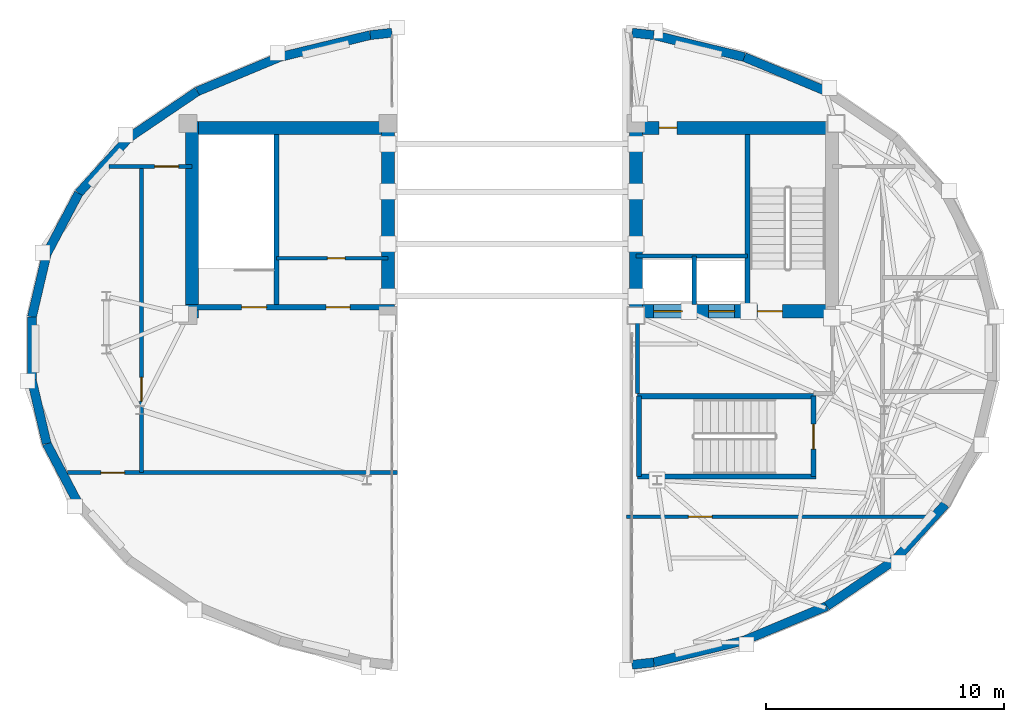
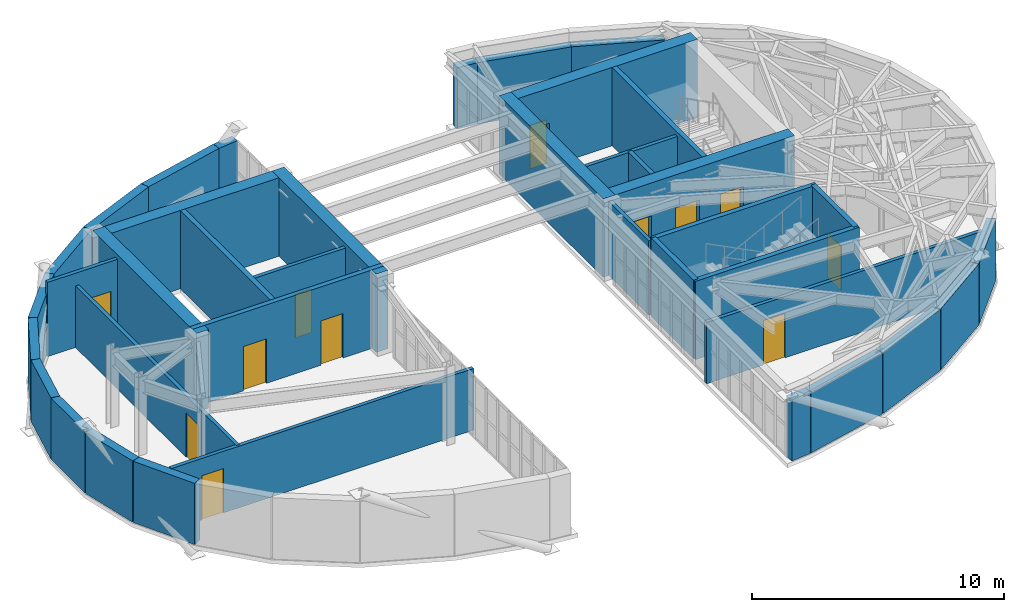
# One storey, part 9 of 13: 39 walls, 12 doors, 12 openings.
"""IFC4 building model written with IfcOpenShell, lengths in metres."""

import ifcopenshell
import ifcopenshell.guid

model = None  # the IFC model being written
_history = None  # IfcOwnerHistory: only IFC2X3 demands one
_inside = {}  # id of a spatial element -> (the spatial element, [elements in it])
_under = {}  # id of a project, library or spatial element -> (it, [spatial elements below it])
_declared = {}  # id of a project -> (the project, [libraries it declares])
_typed = {}  # id of a type object -> (the type object, [elements of that type])
_made_of = {}  # id of a material, layer set ... -> (it, [elements and type objects made of it])


def new_model(schema):
    """Start an empty IFC model of exactly this schema.

    Asked for "IFC4X3", IfcOpenShell would pick the latest addendum, in which some entities
    have other attributes; the version numbers below select the first issue.
    IFC2X3 requires an IfcOwnerHistory on every rooted entity: one is made here for all.
    """
    global model, _history
    if schema == "IFC4X3":
        model = ifcopenshell.file(schema_version=(4, 3, 0, 0))
    else:
        model = ifcopenshell.file(schema=schema)
    _inside.clear()
    _under.clear()
    _declared.clear()
    _typed.clear()
    _made_of.clear()
    _history = None
    if model.schema == "IFC2X3":
        org = make("IfcOrganization", Name="unknown")
        user = make(
            "IfcPersonAndOrganization",
            ThePerson=make("IfcPerson", FamilyName="unknown"),
            TheOrganization=org,
        )
        app = make(
            "IfcApplication",
            ApplicationDeveloper=org,
            Version="unknown",
            ApplicationFullName="unknown",
            ApplicationIdentifier="unknown",
        )
        _history = make(
            "IfcOwnerHistory",
            OwningUser=user,
            OwningApplication=app,
            ChangeAction="ADDED",
            CreationDate=0,
        )
    return model


def make(cls, **values):
    """One entity of the class cls with the attributes given. An attribute that is None is left unset."""
    return model.create_entity(
        cls, **{name: value for name, value in values.items() if value is not None}
    )


def rooted(cls, **values):
    """An entity with a GlobalId (a new one), such as an element, a storey or a relation."""
    return make(cls, GlobalId=ifcopenshell.guid.new(), OwnerHistory=_history, **values)


def si_unit(unit_type, name, prefix=None):
    """IfcSIUnit, for example si_unit("LENGTHUNIT", "METRE", prefix="MILLI")."""
    return make("IfcSIUnit", UnitType=unit_type, Prefix=prefix, Name=name)


def assignment(units):
    """IfcUnitAssignment: the units of a project."""
    return None if units is None else make("IfcUnitAssignment", Units=units)


def point(xyz):
    """IfcCartesianPoint."""
    return None if xyz is None else make("IfcCartesianPoint", Coordinates=xyz)


def direction(xyz):
    """IfcDirection."""
    return None if xyz is None else make("IfcDirection", DirectionRatios=xyz)


def frame(location, z_axis=None, x_axis=None):
    """IfcAxis2Placement3D, a coordinate frame: its origin and axes. An axis left out is left unset."""
    return make(
        "IfcAxis2Placement3D",
        Location=point(location),
        Axis=direction(z_axis),
        RefDirection=direction(x_axis),
    )


def frame_2d(location, x_axis=None):
    """IfcAxis2Placement2D, a coordinate frame in the plane: its origin and x axis."""
    return make(
        "IfcAxis2Placement2D", Location=point(location), RefDirection=direction(x_axis)
    )


def origin():
    """The frame at (0, 0, 0) with its axes left unset."""
    return frame((0.0, 0.0, 0.0))


def place(relative_to, where):
    """IfcLocalPlacement: puts the frame where relative to a parent placement (None: the world)."""
    return make(
        "IfcLocalPlacement", PlacementRelTo=relative_to, RelativePlacement=where
    )


def context(
    kind, dimensions, precision=None, world=None, true_north=None, identifier=None
):
    """IfcGeometricRepresentationContext, for example the 3D "Model" context."""
    return make(
        "IfcGeometricRepresentationContext",
        ContextIdentifier=identifier,
        ContextType=kind,
        CoordinateSpaceDimension=dimensions,
        Precision=precision,
        WorldCoordinateSystem=world,
        TrueNorth=true_north,
    )


def subcontext(parent, identifier, kind, view, scale=None):
    """IfcGeometricRepresentationSubContext, for example "Body" below "Model"."""
    return make(
        "IfcGeometricRepresentationSubContext",
        ContextIdentifier=identifier,
        ContextType=kind,
        ParentContext=parent,
        TargetScale=scale,
        TargetView=view,
    )


def project(units=None, contexts=None):
    """IfcProject with its units and contexts."""
    return rooted(
        "IfcProject",
        Name="project",
        RepresentationContexts=contexts,
        UnitsInContext=assignment(units),
    )


def spatial(cls, under=None, at=None, **own):
    """A site, building, storey or space (cls), placed at a placement, below another one or the project."""
    s = rooted(cls, ObjectPlacement=at, **own)
    if under is not None:
        _under.setdefault(under.id(), (under, []))[1].append(s)
    return s


def profile(cls, at=None, kind="AREA", **sizes):
    """A parametric profile (cls). Its sizes go by their IFC names, for example OverallWidth=200.0."""
    return make(cls, ProfileType=kind, Position=at, **sizes)


def rectangle(**sizes):
    """IfcRectangleProfileDef."""
    return profile("IfcRectangleProfileDef", **sizes)


def extrude(swept, where, along, depth):
    """IfcExtrudedAreaSolid: the profile swept, set in the frame where, extruded along a direction by depth."""
    return make(
        "IfcExtrudedAreaSolid",
        SweptArea=swept,
        Position=where,
        ExtrudedDirection=direction(along),
        Depth=depth,
    )


def shape(context_of_items, identifier, shape_type, items):
    """IfcShapeRepresentation: the items that make up one representation, for example the "Body"."""
    return make(
        "IfcShapeRepresentation",
        ContextOfItems=context_of_items,
        RepresentationIdentifier=identifier,
        RepresentationType=shape_type,
        Items=items,
    )


def material(Name=None, Category=None):
    """IfcMaterial."""
    return make("IfcMaterial", Name=Name, Category=Category)


def layer(
    of_material, thickness, ventilated=None, Name=None, Category=None, Priority=None
):
    """IfcMaterialLayer: one layer of a wall or slab, of a material (None: an air gap)."""
    return make(
        "IfcMaterialLayer",
        Material=of_material,
        LayerThickness=thickness,
        IsVentilated=ventilated,
        Name=Name,
        Category=Category,
        Priority=Priority,
    )


def layer_set(layers, Name=None):
    """IfcMaterialLayerSet."""
    return make("IfcMaterialLayerSet", MaterialLayers=layers, LayerSetName=Name)


def made_of(thing, what):
    """Note that an element or type object is made of a material, layer set ...; save() writes the relation."""
    if what is not None:
        _made_of.setdefault(what.id(), (what, []))[1].append(thing)
    return thing


def type_object(cls, material=None, **own):
    """A type object (cls), such as IfcWallType, which elements share."""
    return made_of(rooted(cls, **own), material)


def element(
    cls,
    number,
    at=None,
    inside=None,
    cuts=None,
    type_object=None,
    material=None,
    context=None,
    identifier="Body",
    shape_type=None,
    held_by="IfcProductDefinitionShape",
    body=None,
    shapes=None,
    **own,
):
    """One element of the class cls, such as IfcWall. Its Tag is "e" and its number.

    at: its placement. inside: the storey or other place that contains it. cuts: it is an
    opening in that element (IfcRelVoidsElement). A single representation is given by context,
    identifier, shape_type and body (its items); several are given by shapes. held_by: the class
    of the entity that holds the representations. save() writes the other relations.
    """
    e = rooted(cls, Tag="e%d" % number, ObjectPlacement=at, **own)
    if body is not None:
        shapes = [shape(context, identifier, shape_type, body)]
    if shapes is not None:
        e.Representation = make(held_by, Representations=shapes)
    if inside is not None:
        _inside.setdefault(inside.id(), (inside, []))[1].append(e)
    if cuts is not None:
        rooted(
            "IfcRelVoidsElement", RelatingBuildingElement=cuts, RelatedOpeningElement=e
        )
    if type_object is not None:
        _typed.setdefault(type_object.id(), (type_object, []))[1].append(e)
    return made_of(e, material)


def fill(opening, filler):
    """IfcRelFillsElement: the door or window that sits in an opening."""
    return rooted(
        "IfcRelFillsElement",
        RelatingOpeningElement=opening,
        RelatedBuildingElement=filler,
    )


def aggregate(whole, parts):
    """IfcRelAggregates: a whole, such as a stair, and the parts it consists of."""
    return rooted("IfcRelAggregates", RelatingObject=whole, RelatedObjects=parts)


def save(model, path):
    """Write the relations noted so far, then the file.

    IfcRelAggregates (storeys below a building ...), IfcRelContainedInSpatialStructure (elements
    in a storey), IfcRelDefinesByType, IfcRelAssociatesMaterial and IfcRelDeclares: one each for
    every whole, place, type object, material and project.
    """
    for whole, parts in _under.values():
        aggregate(whole, parts)
    for where, things in _inside.values():
        rooted(
            "IfcRelContainedInSpatialStructure",
            RelatedElements=things,
            RelatingStructure=where,
        )
    for kind, things in _typed.values():
        rooted("IfcRelDefinesByType", RelatedObjects=things, RelatingType=kind)
    for what, things in _made_of.values():
        rooted("IfcRelAssociatesMaterial", RelatedObjects=things, RelatingMaterial=what)
    for by, libraries in _declared.values():
        rooted("IfcRelDeclares", RelatingContext=by, RelatedDefinitions=libraries)
    model.write(path)


model = new_model("IFC4")

# Units and contexts
model_context = context("Model", 3, precision=1e-05, world=origin(), true_north=direction((0.0, 1.0)))
body_context = subcontext(model_context, "Body", "Model", "MODEL_VIEW")
ifc_project = project(units=[si_unit("LENGTHUNIT", "METRE"), si_unit("AREAUNIT", "SQUARE_METRE"), si_unit("VOLUMEUNIT", "CUBIC_METRE"), si_unit("PLANEANGLEUNIT", "RADIAN"), si_unit("MASSUNIT", "GRAM", prefix="KILO")], contexts=[model_context])

# Site, building, storey
site_placement = place(None, origin())
site = spatial("IfcSite", under=ifc_project, at=site_placement, CompositionType="ELEMENT")
building_placement = place(site_placement, origin())
building = spatial("IfcBuilding", under=site, at=building_placement, Name="Keldmark Tower", CompositionType="ELEMENT")
storey_placement = place(building_placement, frame((0.0, 0.0, 280.60009765625)))
storey = spatial("IfcBuildingStorey", under=building, at=storey_placement, Name="L79", CompositionType="ELEMENT", Elevation=280.60009765625)

# Walls
ifc_material_1 = material(Name="Kasota Buff Limestone Ashlar Masonry", Category="masonry")
ifc_layer_1 = layer(ifc_material_1, 0.3798828125)
ifc_layer_set_1 = layer_set([ifc_layer_1], Name="Kasota Buff Limestone Ashlar Masonry")
wall_type_1 = type_object("IfcWallType", Name="Crown Kasota Limestone Screen Wall 380 mm", PredefinedType="ELEMENTEDWALL", material=ifc_layer_set_1)
wall_1_placement = place(storey_placement, frame((9.754150390625, 12.24462890625, 0.0), z_axis=(0.0, 0.0, 1.0), x_axis=(-0.971829314356, 0.235685773347, 0.0)))
element("IfcWall", 1, at=wall_1_placement, inside=storey, type_object=wall_type_1, Name="L79 Crown Limestone Enclosure Wall E01", PredefinedType="ELEMENTEDWALL", context=body_context, shape_type="SweptSolid", body=[
    extrude(rectangle(XDim=3.911376953125, YDim=0.3798828125, at=frame_2d((1.95556640625, 0.0))), origin(), (0.0, 0.0, 1.0), 2.969970703125),
])
wall_2_placement = place(storey_placement, frame((13.213134765625, 10.8037109375, 0.0), z_axis=(0.0, 0.0, 1.0), x_axis=(-0.923107762436, 0.384541361794, 0.0)))
element("IfcWall", 2, at=wall_2_placement, inside=storey, type_object=wall_type_1, Name="L79 Crown Limestone Enclosure Wall E02", PredefinedType="ELEMENTEDWALL", context=body_context, shape_type="SweptSolid", body=[
    extrude(rectangle(XDim=3.7470703125, YDim=0.3798828125, at=frame_2d((1.87353515625, 0.0))), origin(), (0.0, 0.0, 1.0), 2.969970703125),
])
wall_3_placement = place(storey_placement, frame((16.08154296875, -8.858154296875, 0.0), z_axis=(0.0, 0.0, 1.0), x_axis=(0.671159432859, 0.741313034881, 0.0)))
element("IfcWall", 3, at=wall_3_placement, inside=storey, type_object=wall_type_1, Name="L79 Crown Limestone Enclosure Wall E10", PredefinedType="ELEMENTEDWALL", context=body_context, shape_type="SweptSolid", body=[
    extrude(rectangle(XDim=3.142578125, YDim=0.3798828125, at=frame_2d((1.5712890625, 0.0))), origin(), (0.0, 0.0, 1.0), 2.969970703125),
])
wall_4_placement = place(storey_placement, frame((13.213134765625, -10.8037109375, 0.0), z_axis=(0.0, 0.0, 1.0), x_axis=(0.827591474152, 0.561330875608, 0.0)))
element("IfcWall", 4, at=wall_4_placement, inside=storey, type_object=wall_type_1, Name="L79 Crown Limestone Enclosure Wall E11", PredefinedType="ELEMENTEDWALL", context=body_context, shape_type="SweptSolid", body=[
    extrude(rectangle(XDim=3.466064453125, YDim=0.3798828125, at=frame_2d((1.73291015625, 0.0))), origin(), (0.0, 0.0, 1.0), 2.969970703125),
])
wall_5_placement = place(storey_placement, frame((9.754150390625, -12.24462890625, 0.0), z_axis=(0.0, 0.0, 1.0), x_axis=(0.923107762436, 0.384541361794, 0.0)))
element("IfcWall", 5, at=wall_5_placement, inside=storey, type_object=wall_type_1, Name="L79 Crown Limestone Enclosure Wall E12", PredefinedType="ELEMENTEDWALL", context=body_context, shape_type="SweptSolid", body=[
    extrude(rectangle(XDim=3.7470703125, YDim=0.3798828125, at=frame_2d((1.87353515625, 0.0))), origin(), (0.0, 0.0, 1.0), 2.969970703125),
])
wall_6_placement = place(storey_placement, frame((5.952880859375, -13.16650390625, 0.0), z_axis=(0.0, 0.0, 1.0), x_axis=(0.971829314356, 0.235685773347, 0.0)))
element("IfcWall", 6, at=wall_6_placement, inside=storey, type_object=wall_type_1, Name="L79 Crown Limestone Enclosure Wall E13", PredefinedType="ELEMENTEDWALL", context=body_context, shape_type="SweptSolid", body=[
    extrude(rectangle(XDim=3.911376953125, YDim=0.3798828125, at=frame_2d((1.95556640625, 0.0))), origin(), (0.0, 0.0, 1.0), 2.969970703125),
])
for number, where, z_axis, x_axis, name in (
    (7, (5.0400390625, -13.264892578125, 0.0), (0.0, 0.0, 1.0), (0.994241555016, 0.107162168139, 0.0), "L79 Crown Limestone Enclosure Wall E14"),
    (8, (5.952880859375, 13.16650390625, 0.0), (0.0, 0.0, 1.0), (-0.994241555016, 0.107162168139, 0.0), "L79 Crown Limestone Enclosure Wall E16"),
):
    element("IfcWall", number, at=place(storey_placement, frame(where, z_axis=z_axis, x_axis=x_axis)), inside=storey, type_object=wall_type_1, Name=name, PredefinedType="ELEMENTEDWALL", context=body_context, shape_type="SweptSolid", body=[
        extrude(rectangle(XDim=0.918212890625, YDim=0.3798828125, at=frame_2d((0.458984375, 0.0))), origin(), (0.0, 0.0, 1.0), 2.969970703125),
    ])
wall_7_placement = place(storey_placement, frame((-19.533203125, -3.981201171875, 0.0), z_axis=(0.0, 0.0, 1.0), x_axis=(0.466239076721, -0.884658760957, 0.0)))
element("IfcWall", 9, at=wall_7_placement, inside=storey, type_object=wall_type_1, Name="L79 Crown Limestone Enclosure Wall W05", PredefinedType="ELEMENTEDWALL", context=body_context, shape_type="SweptSolid", body=[
    extrude(rectangle(XDim=2.87939453125, YDim=0.3798828125, at=frame_2d((1.439697265625, 0.0))), origin(), (0.0, 0.0, 1.0), 2.969970703125),
])
wall_8_placement = place(storey_placement, frame((-20.15234375, -1.334716796875, 0.0), z_axis=(0.0, 0.0, 1.0), x_axis=(0.227797493786, -0.973708530221, 0.0)))
element("IfcWall", 10, at=wall_8_placement, inside=storey, type_object=wall_type_1, Name="L79 Crown Limestone Enclosure Wall W06", PredefinedType="ELEMENTEDWALL", context=body_context, shape_type="SweptSolid", body=[
    extrude(rectangle(XDim=2.718017578125, YDim=0.3798828125, at=frame_2d((1.35888671875, 0.0))), origin(), (0.0, 0.0, 1.0), 2.969970703125),
])
wall_9_placement = place(storey_placement, frame((-20.15234375, 1.334716796875, 0.0), z_axis=(0.0, 0.0, 1.0), x_axis=(0.0, -1.0, 0.0)))
element("IfcWall", 11, at=wall_9_placement, inside=storey, type_object=wall_type_1, Name="L79 Crown Limestone Enclosure Wall W07", PredefinedType="ELEMENTEDWALL", context=body_context, shape_type="SweptSolid", body=[
    extrude(rectangle(XDim=2.66943359375, YDim=0.3798828125, at=frame_2d((1.334716796875, 0.0))), origin(), (0.0, 0.0, 1.0), 2.969970703125),
])
wall_10_placement = place(storey_placement, frame((-19.533203125, 3.981201171875, 0.0), z_axis=(0.0, 0.0, 1.0), x_axis=(-0.227797493786, -0.973708530221, 0.0)))
element("IfcWall", 12, at=wall_10_placement, inside=storey, type_object=wall_type_1, Name="L79 Crown Limestone Enclosure Wall W08", PredefinedType="ELEMENTEDWALL", context=body_context, shape_type="SweptSolid", body=[
    extrude(rectangle(XDim=2.718017578125, YDim=0.3798828125, at=frame_2d((1.35888671875, 0.0))), origin(), (0.0, 0.0, 1.0), 2.969970703125),
])
wall_11_placement = place(storey_placement, frame((-18.190673828125, 6.528564453125, 0.0), z_axis=(0.0, 0.0, 1.0), x_axis=(-0.466239076721, -0.884658760957, 0.0)))
element("IfcWall", 13, at=wall_11_placement, inside=storey, type_object=wall_type_1, Name="L79 Crown Limestone Enclosure Wall W09", PredefinedType="ELEMENTEDWALL", context=body_context, shape_type="SweptSolid", body=[
    extrude(rectangle(XDim=2.87939453125, YDim=0.3798828125, at=frame_2d((1.439697265625, 0.0))), origin(), (0.0, 0.0, 1.0), 2.969970703125),
])
wall_12_placement = place(storey_placement, frame((-16.08154296875, 8.858154296875, 0.0), z_axis=(0.0, 0.0, 1.0), x_axis=(-0.671159432859, -0.741313034881, 0.0)))
element("IfcWall", 14, at=wall_12_placement, inside=storey, type_object=wall_type_1, Name="L79 Crown Limestone Enclosure Wall W10", PredefinedType="ELEMENTEDWALL", context=body_context, shape_type="SweptSolid", body=[
    extrude(rectangle(XDim=3.142578125, YDim=0.3798828125, at=frame_2d((1.5712890625, 0.0))), origin(), (0.0, 0.0, 1.0), 2.969970703125),
])
wall_13_placement = place(storey_placement, frame((-13.213134765625, 10.8037109375, 0.0), z_axis=(0.0, 0.0, 1.0), x_axis=(-0.827591474152, -0.561330875608, 0.0)))
element("IfcWall", 15, at=wall_13_placement, inside=storey, type_object=wall_type_1, Name="L79 Crown Limestone Enclosure Wall W11", PredefinedType="ELEMENTEDWALL", context=body_context, shape_type="SweptSolid", body=[
    extrude(rectangle(XDim=3.466064453125, YDim=0.3798828125, at=frame_2d((1.73291015625, 0.0))), origin(), (0.0, 0.0, 1.0), 2.969970703125),
])
wall_14_placement = place(storey_placement, frame((-9.754150390625, 12.24462890625, 0.0), z_axis=(0.0, 0.0, 1.0), x_axis=(-0.923107762436, -0.384541361794, 0.0)))
element("IfcWall", 16, at=wall_14_placement, inside=storey, type_object=wall_type_1, Name="L79 Crown Limestone Enclosure Wall W12", PredefinedType="ELEMENTEDWALL", context=body_context, shape_type="SweptSolid", body=[
    extrude(rectangle(XDim=3.7470703125, YDim=0.3798828125, at=frame_2d((1.87353515625, 0.0))), origin(), (0.0, 0.0, 1.0), 2.969970703125),
])
wall_15_placement = place(storey_placement, frame((-5.952880859375, 13.16650390625, 0.0), z_axis=(0.0, 0.0, 1.0), x_axis=(-0.971829314356, -0.235685773347, 0.0)))
element("IfcWall", 17, at=wall_15_placement, inside=storey, type_object=wall_type_1, Name="L79 Crown Limestone Enclosure Wall W13", PredefinedType="ELEMENTEDWALL", context=body_context, shape_type="SweptSolid", body=[
    extrude(rectangle(XDim=3.911376953125, YDim=0.3798828125, at=frame_2d((1.95556640625, 0.0))), origin(), (0.0, 0.0, 1.0), 2.969970703125),
])
wall_16_placement = place(storey_placement, frame((-5.0400390625, 13.264892578125, 0.0), z_axis=(0.0, 0.0, 1.0), x_axis=(-0.994241555016, -0.107162168139, 0.0)))
element("IfcWall", 18, at=wall_16_placement, inside=storey, type_object=wall_type_1, Name="L79 Crown Limestone Enclosure Wall W14", PredefinedType="ELEMENTEDWALL", context=body_context, shape_type="SweptSolid", body=[
    extrude(rectangle(XDim=0.918212890625, YDim=0.3798828125, at=frame_2d((0.458984375, 0.0))), origin(), (0.0, 0.0, 1.0), 2.969970703125),
])
ifc_material_2 = material(Name="Concrete C50/60", Category="concrete")
ifc_layer_2 = layer(ifc_material_2, 0.550048828125)
ifc_layer_set_2 = layer_set([ifc_layer_2], Name="Concrete C50/60")
wall_type_2 = type_object("IfcWallType", Name="High-Rise Core Shear Wall 550 mm", PredefinedType="SHEAR", material=ifc_layer_set_2)
wall_17_placement = place(storey_placement, frame((-13.425048828125, 1.300048828125, 0.0), z_axis=(0.0, 0.0, 1.0), x_axis=(0.0, 1.0, 0.0)))
element("IfcWall", 19, at=wall_17_placement, inside=storey, type_object=wall_type_2, Name="L79 West Crown Core West Wall", PredefinedType="SHEAR", context=body_context, shape_type="SweptSolid", body=[
    extrude(rectangle(XDim=8.25, YDim=0.550048828125, at=frame_2d((4.125, 0.0))), origin(), (0.0, 0.0, 1.0), 3.7998046875),
])
wall_18_placement = place(storey_placement, frame((-13.699951171875, 9.27490234375, 0.0), z_axis=(0.0, 0.0, 1.0), x_axis=(1.0, 0.0, 0.0)))
element("IfcWall", 20, at=wall_18_placement, inside=storey, type_object=wall_type_2, Name="L79 West Crown Core North Wall", PredefinedType="SHEAR", context=body_context, shape_type="SweptSolid", body=[
    extrude(rectangle(XDim=8.77490234375, YDim=0.550048828125, at=frame_2d((4.387451171875, 0.0))), origin(), (0.0, 0.0, 1.0), 3.7998046875),
])
wall_19_placement = place(storey_placement, frame((-5.199951171875, 1.300048828125, 0.0), z_axis=(0.0, 0.0, 1.0), x_axis=(0.0, 1.0, 0.0)))
element("IfcWall", 21, at=wall_19_placement, inside=storey, type_object=wall_type_2, Name="L79 West Crown Core Slot Wall", PredefinedType="SHEAR", context=body_context, shape_type="SweptSolid", body=[
    extrude(rectangle(XDim=8.25, YDim=0.550048828125, at=frame_2d((4.125, 0.0))), origin(), (0.0, 0.0, 1.0), 3.7998046875),
])

# Wall, opening, door
wall_20_placement = place(storey_placement, frame((4.925048828125, 9.27490234375, 0.0), z_axis=(0.0, 0.0, 1.0), x_axis=(1.0, 0.0, 0.0)))
wall_20 = element("IfcWall", 22, at=wall_20_placement, inside=storey, type_object=wall_type_2, Name="L79 East Crown Core North Wall", PredefinedType="SHEAR", context=body_context, shape_type="SweptSolid", body=[
    extrude(rectangle(XDim=8.77490234375, YDim=0.550048828125, at=frame_2d((4.387451171875, 0.0))), origin(), (0.0, 0.0, 1.0), 3.7998046875),
])
opening_1_placement = place(wall_20_placement, frame((1.25, 0.0, 0.0)))
opening_1 = element("IfcOpeningElement", 23, at=opening_1_placement, cuts=wall_20, Name="Opening D-RS075", PredefinedType="OPENING", context=body_context, shape_type="SweptSolid", body=[
    extrude(rectangle(XDim=0.75, YDim=2.10009765625, at=frame_2d((0.375, 1.050048828125))), frame((0.0, 0.284912109375, 0.0), z_axis=(0.0, -1.0, 0.0), x_axis=(1.0, 0.0, 0.0)), (0.0, 0.0, 1.0), 0.570068359375),
])
ifc_material_3 = material(Name="Galvanized Fire-Rated Access Leaf", Category="metal")
door_type_1 = type_object("IfcDoorType", Name="Riser Access Door 750x2100", OperationType="NOTDEFINED", PredefinedType="DOOR", material=ifc_material_3)
door_1_placement = place(opening_1_placement, origin())
door_1 = element("IfcDoor", 24, at=door_1_placement, inside=storey, type_object=door_type_1, Name="L79 Riser Access Door 750x2100 D-EC-RIS-L79", OperationType="SINGLE_SWING_RIGHT", OverallHeight=2.10009765625, OverallWidth=0.75, PredefinedType="DOOR", context=body_context, shape_type="SweptSolid", body=[
    extrude(rectangle(XDim=0.75, YDim=2.10009765625, at=frame_2d((0.375, 1.050048828125))), frame((0.0, 0.02490234375, 0.0), z_axis=(0.0, -1.0, 0.0), x_axis=(1.0, 0.0, 0.0)), (0.0, 0.0, 1.0), 0.050048828125),
])
fill(opening_1, door_1)

# Wall, openings, doors
wall_21_placement = place(storey_placement, frame((13.699951171875, 1.574951171875, 0.0), z_axis=(0.0, 0.0, 1.0), x_axis=(-1.0, 0.0, 0.0)))
wall_21 = element("IfcWall", 25, at=wall_21_placement, inside=storey, type_object=wall_type_2, Name="L79 East Crown Core South Wall", PredefinedType="SHEAR", context=body_context, shape_type="SweptSolid", body=[
    extrude(rectangle(XDim=8.77490234375, YDim=0.550048828125, at=frame_2d((4.387451171875, 0.0))), origin(), (0.0, 0.0, 1.0), 3.7998046875),
])
opening_2_placement = place(wall_21_placement, frame((2.35009765625, 0.0, 0.0)))
opening_2 = element("IfcOpeningElement", 26, at=opening_2_placement, cuts=wall_21, Name="Opening D-ST105", PredefinedType="OPENING", context=body_context, shape_type="SweptSolid", body=[
    extrude(rectangle(XDim=1.050048828125, YDim=2.14990234375, at=frame_2d((0.52490234375, 1.074951171875))), frame((0.0, 0.284912109375, 0.0), z_axis=(0.0, -1.0, 0.0), x_axis=(1.0, 0.0, 0.0)), (0.0, 0.0, 1.0), 0.570068359375),
])
opening_3_placement = place(wall_21_placement, frame((6.550048828125, 0.0, 0.0)))
opening_3 = element("IfcOpeningElement", 27, at=opening_3_placement, cuts=wall_21, Name="Opening LD-120", PredefinedType="OPENING", context=body_context, shape_type="SweptSolid", body=[
    extrude(rectangle(XDim=1.199951171875, YDim=2.199951171875, at=frame_2d((0.60009765625, 1.10009765625))), frame((0.0, 0.284912109375, 0.0), z_axis=(0.0, -1.0, 0.0), x_axis=(1.0, 0.0, 0.0)), (0.0, 0.0, 1.0), 0.570068359375),
])
opening_4_placement = place(wall_21_placement, frame((4.35009765625, 0.0, 0.0)))
opening_4 = element("IfcOpeningElement", 28, at=opening_4_placement, cuts=wall_21, Name="Opening LD-110", PredefinedType="OPENING", context=body_context, shape_type="SweptSolid", body=[
    extrude(rectangle(XDim=1.10009765625, YDim=2.199951171875, at=frame_2d((0.550048828125, 1.10009765625))), frame((0.0, 0.284912109375, 0.0), z_axis=(0.0, -1.0, 0.0), x_axis=(1.0, 0.0, 0.0)), (0.0, 0.0, 1.0), 0.570068359375),
])
ifc_material_4 = material(Name="Brushed Bronze Hoistway Sliding Leaf", Category="metal")
door_type_2 = type_object("IfcDoorType", Name="Lift Landing Sliding Door 1100x2200", OperationType="SLIDING_TO_LEFT", PredefinedType="DOOR", material=ifc_material_4)
door_2_placement = place(opening_4_placement, origin())
door_2 = element("IfcDoor", 29, at=door_2_placement, inside=storey, type_object=door_type_2, Name="L79 Lift Landing Sliding Door 1100x2200 LD-EL-FS2-L79", OperationType="SLIDING_TO_LEFT", OverallHeight=2.199951171875, OverallWidth=1.10009765625, PredefinedType="DOOR", context=body_context, shape_type="SweptSolid", body=[
    extrude(rectangle(XDim=1.10009765625, YDim=2.199951171875, at=frame_2d((0.550048828125, 1.10009765625))), frame((0.0, 0.02490234375, 0.0), z_axis=(0.0, -1.0, 0.0), x_axis=(1.0, 0.0, 0.0)), (0.0, 0.0, 1.0), 0.050048828125),
])
fill(opening_4, door_2)
ifc_material_5 = material(Name="Heavy-Duty Brushed Metal Hoistway Sliding Leaf", Category="metal")
door_type_3 = type_object("IfcDoorType", Name="Service Lift Sliding Door 1200x2200", OperationType="SLIDING_TO_RIGHT", PredefinedType="DOOR", material=ifc_material_5)
door_3_placement = place(opening_3_placement, origin())
door_3 = element("IfcDoor", 30, at=door_3_placement, inside=storey, type_object=door_type_3, Name="L79 Service Lift Sliding Door 1200x2200 LD-EL-SV1-L79", OperationType="SLIDING_TO_RIGHT", OverallHeight=2.199951171875, OverallWidth=1.199951171875, PredefinedType="DOOR", context=body_context, shape_type="SweptSolid", body=[
    extrude(rectangle(XDim=1.199951171875, YDim=2.199951171875, at=frame_2d((0.60009765625, 1.10009765625))), frame((0.0, 0.02490234375, 0.0), z_axis=(0.0, -1.0, 0.0), x_axis=(1.0, 0.0, 0.0)), (0.0, 0.0, 1.0), 0.050048828125),
])
fill(opening_3, door_3)
ifc_material_6 = material(Name="Hollow Metal Fire-Rated Door Assembly", Category="metal")
door_type_4 = type_object("IfcDoorType", Name="Stair Fire Door 1050x2150", OperationType="NOTDEFINED", PredefinedType="DOOR", material=ifc_material_6)
door_4_placement = place(opening_2_placement, origin())
door_4 = element("IfcDoor", 31, at=door_4_placement, inside=storey, type_object=door_type_4, Name="L79 Stair Fire Door 1050x2150 D-ST2-L79", OperationType="SINGLE_SWING_RIGHT", OverallHeight=2.14990234375, OverallWidth=1.050048828125, PredefinedType="DOOR", context=body_context, shape_type="SweptSolid", body=[
    extrude(rectangle(XDim=1.050048828125, YDim=2.14990234375, at=frame_2d((0.52490234375, 1.074951171875))), frame((0.0, 0.02490234375, 0.0), z_axis=(0.0, -1.0, 0.0), x_axis=(1.0, 0.0, 0.0)), (0.0, 0.0, 1.0), 0.050048828125),
])
fill(opening_2, door_4)

# Wall
wall_22_placement = place(storey_placement, frame((5.199951171875, 1.300048828125, 0.0), z_axis=(0.0, 0.0, 1.0), x_axis=(0.0, 1.0, 0.0)))
element("IfcWall", 32, at=wall_22_placement, inside=storey, type_object=wall_type_2, Name="L79 East Crown Core Slot Wall", PredefinedType="SHEAR", context=body_context, shape_type="SweptSolid", body=[
    extrude(rectangle(XDim=8.25, YDim=0.550048828125, at=frame_2d((4.125, 0.0))), origin(), (0.0, 0.0, 1.0), 3.7998046875),
])

# Wall, opening, door
ifc_material_7 = material(Name="Type X Fire-Rated Gypsum Partition Assembly", Category="gypsum")
ifc_layer_3 = layer(ifc_material_7, 0.1650390625)
ifc_layer_set_3 = layer_set([ifc_layer_3], Name="Type X Fire-Rated Gypsum Partition Assembly")
wall_type_3 = type_object("IfcWallType", Name="Rated Partition 165 mm", PredefinedType="PARTITIONING", material=ifc_layer_set_3)
wall_23_placement = place(storey_placement, frame((-5.199951171875, 3.800048828125, 0.0), z_axis=(0.0, 0.0, 1.0), x_axis=(-1.0, 0.0, 0.0)))
wall_23 = element("IfcWall", 33, at=wall_23_placement, inside=storey, type_object=wall_type_3, Name="L79 Rated Partition 165 mm WC-LOB-E", PredefinedType="PARTITIONING", context=body_context, shape_type="SweptSolid", body=[
    extrude(rectangle(XDim=4.68994140625, YDim=0.1650390625, at=frame_2d((2.344970703125, 0.0))), origin(), (0.0, 0.0, 1.0), 3.599853515625),
])
opening_5_placement = place(wall_23_placement, frame((1.800048828125, 0.0, 0.0)))
opening_5 = element("IfcOpeningElement", 34, at=opening_5_placement, cuts=wall_23, Name="Opening D-RS075", PredefinedType="OPENING", context=body_context, shape_type="SweptSolid", body=[
    extrude(rectangle(XDim=0.75, YDim=2.10009765625, at=frame_2d((0.375, 1.050048828125))), frame((0.0, 0.092529296875, 0.0), z_axis=(0.0, -1.0, 0.0), x_axis=(1.0, 0.0, 0.0)), (0.0, 0.0, 1.0), 0.18505859375),
])
door_5_placement = place(opening_5_placement, origin())
door_5 = element("IfcDoor", 35, at=door_5_placement, inside=storey, type_object=door_type_1, Name="L79 Riser Access Door 750x2100 D-WC-RIS-L79", OperationType="SINGLE_SWING_RIGHT", OverallHeight=2.10009765625, OverallWidth=0.75, PredefinedType="DOOR", context=body_context, shape_type="SweptSolid", body=[
    extrude(rectangle(XDim=0.75, YDim=2.10009765625, at=frame_2d((0.375, 1.050048828125))), frame((0.0, 0.02490234375, 0.0), z_axis=(0.0, -1.0, 0.0), x_axis=(1.0, 0.0, 0.0)), (0.0, 0.0, 1.0), 0.050048828125),
])
fill(opening_5, door_5)

# Walls
wall_24_placement = place(storey_placement, frame((5.199951171875, 3.89990234375, 0.0), z_axis=(0.0, 0.0, 1.0), x_axis=(1.0, 0.0, 0.0)))
element("IfcWall", 36, at=wall_24_placement, inside=storey, type_object=wall_type_3, Name="L79 Rated Partition 165 mm EC-SV-N", PredefinedType="PARTITIONING", context=body_context, shape_type="SweptSolid", body=[
    extrude(rectangle(XDim=4.68994140625, YDim=0.1650390625, at=frame_2d((2.344970703125, 0.0))), origin(), (0.0, 0.0, 1.0), 3.599853515625),
])
wall_25_placement = place(storey_placement, frame((5.260009765625, -1.8798828125, 0.0), z_axis=(0.0, 0.0, 1.0), x_axis=(0.0, 1.0, 0.0)))
element("IfcWall", 37, at=wall_25_placement, inside=storey, type_object=wall_type_3, Name="L79 Rated Partition 165 mm EC-FSAE-W", PredefinedType="PARTITIONING", context=body_context, shape_type="SweptSolid", body=[
    extrude(rectangle(XDim=3.22998046875, YDim=0.1650390625, at=frame_2d((1.614990234375, 0.0))), origin(), (0.0, 0.0, 1.0), 3.599853515625),
])

# Wall, opening, door
wall_26_placement = place(storey_placement, frame((4.800048828125, -7.050048828125, 0.0), z_axis=(0.0, 0.0, 1.0), x_axis=(1.0, 0.0, 0.0)))
wall_26 = element("IfcWall", 38, at=wall_26_placement, inside=storey, type_object=wall_type_3, Name="L79 Rated Partition 165 mm EC-SCOR-S", PredefinedType="PARTITIONING", context=body_context, shape_type="SweptSolid", body=[
    extrude(rectangle(XDim=12.6513671875, YDim=0.1650390625, at=frame_2d((6.32568359375, 0.0))), origin(), (0.0, 0.0, 1.0), 2.968017578125),
])
opening_6_placement = place(wall_26_placement, frame((2.60009765625, 0.0, 0.0)))
opening_6 = element("IfcOpeningElement", 39, at=opening_6_placement, cuts=wall_26, Name="Opening D-FD100", PredefinedType="OPENING", context=body_context, shape_type="SweptSolid", body=[
    extrude(rectangle(XDim=1.0, YDim=2.14990234375, at=frame_2d((0.5, 1.074951171875))), frame((0.0, 0.092529296875, 0.0), z_axis=(0.0, -1.0, 0.0), x_axis=(1.0, 0.0, 0.0)), (0.0, 0.0, 1.0), 0.18505859375),
])
ifc_material_8 = material(Name="Hollow Metal Fire-Rated Corridor Door", Category="metal")
door_type_5 = type_object("IfcDoorType", Name="Fire Door 1000x2150", OperationType="NOTDEFINED", PredefinedType="DOOR", material=ifc_material_8)
door_6_placement = place(opening_6_placement, origin())
door_6 = element("IfcDoor", 40, at=door_6_placement, inside=storey, type_object=door_type_5, Name="L79 Fire Door 1000x2150 D-ECPS-L79", OperationType="SINGLE_SWING_RIGHT", OverallHeight=2.14990234375, OverallWidth=1.0, PredefinedType="DOOR", context=body_context, shape_type="SweptSolid", body=[
    extrude(rectangle(XDim=1.0, YDim=2.14990234375, at=frame_2d((0.5, 1.074951171875))), frame((0.0, 0.02490234375, 0.0), z_axis=(0.0, -1.0, 0.0), x_axis=(1.0, 0.0, 0.0)), (0.0, 0.0, 1.0), 0.050048828125),
])
fill(opening_6, door_6)

wall_27_placement = place(storey_placement, frame((-18.6669921875, -5.199951171875, 0.0), z_axis=(0.0, 0.0, 1.0), x_axis=(1.0, 0.0, 0.0)))
wall_27 = element("IfcWall", 41, at=wall_27_placement, inside=storey, type_object=wall_type_3, Name="L79 Rated Partition 165 mm WC-SCOR", PredefinedType="PARTITIONING", context=body_context, shape_type="SweptSolid", body=[
    extrude(rectangle(XDim=13.866943359375, YDim=0.1650390625, at=frame_2d((6.93359375, 0.0))), origin(), (0.0, 0.0, 1.0), 2.98681640625),
])
opening_7_placement = place(wall_27_placement, frame((1.406005859375, 0.0, 0.0)))
opening_7 = element("IfcOpeningElement", 42, at=opening_7_placement, cuts=wall_27, Name="Opening D-FD100", PredefinedType="OPENING", context=body_context, shape_type="SweptSolid", body=[
    extrude(rectangle(XDim=1.0, YDim=2.14990234375, at=frame_2d((0.5, 1.074951171875))), frame((0.0, 0.092529296875, 0.0), z_axis=(0.0, -1.0, 0.0), x_axis=(1.0, 0.0, 0.0)), (0.0, 0.0, 1.0), 0.18505859375),
])
door_7_placement = place(opening_7_placement, origin())
door_7 = element("IfcDoor", 43, at=door_7_placement, inside=storey, type_object=door_type_5, Name="L79 Fire Door 1000x2150 D-WCPS-L79", OperationType="SINGLE_SWING_RIGHT", OverallHeight=2.14990234375, OverallWidth=1.0, PredefinedType="DOOR", context=body_context, shape_type="SweptSolid", body=[
    extrude(rectangle(XDim=1.0, YDim=2.14990234375, at=frame_2d((0.5, 1.074951171875))), frame((0.0, 0.02490234375, 0.0), z_axis=(0.0, -1.0, 0.0), x_axis=(1.0, 0.0, 0.0)), (0.0, 0.0, 1.0), 0.050048828125),
])
fill(opening_7, door_7)

wall_28_placement = place(storey_placement, frame((-15.550048828125, -5.199951171875, 0.0), z_axis=(0.0, 0.0, 1.0), x_axis=(0.0, 1.0, 0.0)))
wall_28 = element("IfcWall", 44, at=wall_28_placement, inside=storey, type_object=wall_type_3, Name="L79 Rated Partition 165 mm WC-WCOR", PredefinedType="PARTITIONING", context=body_context, shape_type="SweptSolid", body=[
    extrude(rectangle(XDim=12.849853515625, YDim=0.1650390625, at=frame_2d((6.4248046875, 0.0))), origin(), (0.0, 0.0, 1.0), 2.98681640625),
])
opening_8_placement = place(wall_28_placement, frame((3.0, 0.0, 0.0)))
opening_8 = element("IfcOpeningElement", 45, at=opening_8_placement, cuts=wall_28, Name="Opening D-FD100", PredefinedType="OPENING", context=body_context, shape_type="SweptSolid", body=[
    extrude(rectangle(XDim=1.0, YDim=2.14990234375, at=frame_2d((0.5, 1.074951171875))), frame((0.0, 0.092529296875, 0.0), z_axis=(0.0, -1.0, 0.0), x_axis=(1.0, 0.0, 0.0)), (0.0, 0.0, 1.0), 0.18505859375),
])
door_8_placement = place(opening_8_placement, origin())
door_8 = element("IfcDoor", 46, at=door_8_placement, inside=storey, type_object=door_type_5, Name="L79 Fire Door 1000x2150 D-WCPW-L79", OperationType="SINGLE_SWING_RIGHT", OverallHeight=2.14990234375, OverallWidth=1.0, PredefinedType="DOOR", context=body_context, shape_type="SweptSolid", body=[
    extrude(rectangle(XDim=1.0, YDim=2.14990234375, at=frame_2d((0.5, 1.074951171875))), frame((0.0, 0.02490234375, 0.0), z_axis=(0.0, -1.0, 0.0), x_axis=(1.0, 0.0, 0.0)), (0.0, 0.0, 1.0), 0.050048828125),
])
fill(opening_8, door_8)

wall_29_placement = place(storey_placement, frame((-16.908203125, 7.64990234375, 0.0), z_axis=(0.0, 0.0, 1.0), x_axis=(1.0, 0.0, 0.0)))
wall_29 = element("IfcWall", 47, at=wall_29_placement, inside=storey, type_object=wall_type_3, Name="L79 Rated Partition 165 mm WC-NCAP", PredefinedType="PARTITIONING", context=body_context, shape_type="SweptSolid", body=[
    extrude(rectangle(XDim=3.483154296875, YDim=0.1650390625, at=frame_2d((1.74169921875, 0.0))), origin(), (0.0, 0.0, 1.0), 3.599853515625),
])
opening_9_placement = place(wall_29_placement, frame((1.908447265625, 0.0, 0.0)))
opening_9 = element("IfcOpeningElement", 48, at=opening_9_placement, cuts=wall_29, Name="Opening D-FD100", PredefinedType="OPENING", context=body_context, shape_type="SweptSolid", body=[
    extrude(rectangle(XDim=1.0, YDim=2.14990234375, at=frame_2d((0.5, 1.074951171875))), frame((0.0, 0.092529296875, 0.0), z_axis=(0.0, -1.0, 0.0), x_axis=(1.0, 0.0, 0.0)), (0.0, 0.0, 1.0), 0.18505859375),
])
door_9_placement = place(opening_9_placement, origin())
door_9 = element("IfcDoor", 49, at=door_9_placement, inside=storey, type_object=door_type_5, Name="L79 Fire Door 1000x2150 D-WCPN-L79", OperationType="SINGLE_SWING_LEFT", OverallHeight=2.14990234375, OverallWidth=1.0, PredefinedType="DOOR", context=body_context, shape_type="SweptSolid", body=[
    extrude(rectangle(XDim=1.0, YDim=2.14990234375, at=frame_2d((0.5, 1.074951171875))), frame((0.0, 0.02490234375, 0.0), z_axis=(0.0, -1.0, 0.0), x_axis=(1.0, 0.0, 0.0)), (0.0, 0.0, 1.0), 0.050048828125),
])
fill(opening_9, door_9)

# Wall
ifc_material_9 = material(Name="Fire-Resistant Type X Gypsum Shaftliner Coreboard", Category="gypsum")
ifc_layer_4 = layer(ifc_material_9, 0.199951171875)
ifc_layer_set_4 = layer_set([ifc_layer_4], Name="Fire-Resistant Type X Gypsum Shaftliner Coreboard")
wall_type_4 = type_object("IfcWallType", Name="Shaft Wall 200 mm", PredefinedType="SOLIDWALL", material=ifc_layer_set_4)
wall_30_placement = place(storey_placement, frame((7.64990234375, 1.85009765625, 0.0), z_axis=(0.0, 0.0, 1.0), x_axis=(0.0, 1.0, 0.0)))
element("IfcWall", 50, at=wall_30_placement, inside=storey, type_object=wall_type_4, Name="L79 Shaft Wall 200 mm EC-DIV", PredefinedType="SOLIDWALL", context=body_context, shape_type="SweptSolid", body=[
    extrude(rectangle(XDim=2.0498046875, YDim=0.199951171875, at=frame_2d((1.02490234375, 0.0))), origin(), (0.0, 0.0, 1.0), 3.599853515625),
])

# Wall, openings, doors
ifc_material_10 = material(Name="Concrete C50/60", Category="concrete")
ifc_layer_5 = layer(ifc_material_10, 0.219970703125)
ifc_layer_set_5 = layer_set([ifc_layer_5], Name="Concrete C50/60")
wall_type_5 = type_object("IfcWallType", Name="Stair Core Shear Wall 220 mm", PredefinedType="SHEAR", material=ifc_layer_set_5)
wall_31_placement = place(storey_placement, frame((-4.925048828125, 1.739990234375, 0.0), z_axis=(0.0, 0.0, 1.0), x_axis=(-1.0, 0.0, 0.0)))
wall_31 = element("IfcWall", 51, at=wall_31_placement, inside=storey, type_object=wall_type_5, Name="L79 West Crown Core South Wall", PredefinedType="SHEAR", context=body_context, shape_type="SweptSolid", body=[
    extrude(rectangle(XDim=8.77490234375, YDim=0.219970703125, at=frame_2d((4.387451171875, 0.0))), origin(), (0.0, 0.0, 1.0), 3.7998046875),
])
opening_10_placement = place(wall_31_placement, frame((5.375, 0.0, 0.0)))
opening_10 = element("IfcOpeningElement", 52, at=opening_10_placement, cuts=wall_31, Name="Opening D-ST105", PredefinedType="OPENING", context=body_context, shape_type="SweptSolid", body=[
    extrude(rectangle(XDim=1.050048828125, YDim=2.14990234375, at=frame_2d((0.52490234375, 1.074951171875))), frame((0.0, 0.119873046875, 0.0), z_axis=(0.0, -1.0, 0.0), x_axis=(1.0, 0.0, 0.0)), (0.0, 0.0, 1.0), 0.239990234375),
])
opening_11_placement = place(wall_31_placement, frame((1.875, 0.0, 0.0)))
opening_11 = element("IfcOpeningElement", 53, at=opening_11_placement, cuts=wall_31, Name="Opening D-FD100", PredefinedType="OPENING", context=body_context, shape_type="SweptSolid", body=[
    extrude(rectangle(XDim=1.0, YDim=2.14990234375, at=frame_2d((0.5, 1.074951171875))), frame((0.0, 0.119873046875, 0.0), z_axis=(0.0, -1.0, 0.0), x_axis=(1.0, 0.0, 0.0)), (0.0, 0.0, 1.0), 0.239990234375),
])
door_10_placement = place(opening_11_placement, origin())
door_10 = element("IfcDoor", 54, at=door_10_placement, inside=storey, type_object=door_type_5, Name="L79 Fire Door 1000x2150 D-WC-LOB-L79", OperationType="SINGLE_SWING_LEFT", OverallHeight=2.14990234375, OverallWidth=1.0, PredefinedType="DOOR", context=body_context, shape_type="SweptSolid", body=[
    extrude(rectangle(XDim=1.0, YDim=2.14990234375, at=frame_2d((0.5, 1.074951171875))), frame((0.0, 0.02490234375, 0.0), z_axis=(0.0, -1.0, 0.0), x_axis=(1.0, 0.0, 0.0)), (0.0, 0.0, 1.0), 0.050048828125),
])
fill(opening_11, door_10)
door_11_placement = place(opening_10_placement, origin())
door_11 = element("IfcDoor", 55, at=door_11_placement, inside=storey, type_object=door_type_4, Name="L79 Stair Fire Door 1050x2150 D-ST1-L79", OperationType="SINGLE_SWING_RIGHT", OverallHeight=2.14990234375, OverallWidth=1.050048828125, PredefinedType="DOOR", context=body_context, shape_type="SweptSolid", body=[
    extrude(rectangle(XDim=1.050048828125, YDim=2.14990234375, at=frame_2d((0.52490234375, 1.074951171875))), frame((0.0, 0.02490234375, 0.0), z_axis=(0.0, -1.0, 0.0), x_axis=(1.0, 0.0, 0.0)), (0.0, 0.0, 1.0), 0.050048828125),
])
fill(opening_10, door_11)

# Walls
for number, where, z_axis, x_axis, name in (
    (56, (-9.889892578125, 1.85009765625, 0.0), (0.0, 0.0, 1.0), (0.0, 1.0, 0.0), "L79 West Stair Core Shear Wall"),
    (57, (9.889892578125, 1.85009765625, 0.0), (0.0, 0.0, 1.0), (0.0, 1.0, 0.0), "L79 East Stair Core Shear Wall"),
):
    element("IfcWall", number, at=place(storey_placement, frame(where, z_axis=z_axis, x_axis=x_axis)), inside=storey, type_object=wall_type_5, Name=name, PredefinedType="SHEAR", context=body_context, shape_type="SweptSolid", body=[
        extrude(rectangle(XDim=7.14990234375, YDim=0.219970703125, at=frame_2d((3.574951171875, 0.0))), origin(), (0.0, 0.0, 1.0), 3.7998046875),
    ])
for number, where, z_axis, x_axis, name in (
    (58, (5.260009765625, -1.989990234375, 0.0), (0.0, 0.0, 1.0), (1.0, 0.0, 0.0), "L79 East Crown Stair ST4 North Wall"),
    (59, (5.260009765625, -5.360107421875, 0.0), (0.0, 0.0, 1.0), (1.0, 0.0, 0.0), "L79 East Crown Stair ST4 South Wall"),
):
    element("IfcWall", number, at=place(storey_placement, frame(where, z_axis=z_axis, x_axis=x_axis)), inside=storey, type_object=wall_type_5, Name=name, PredefinedType="SHEAR", context=body_context, shape_type="SweptSolid", body=[
        extrude(rectangle(XDim=7.5, YDim=0.219970703125, at=frame_2d((3.75, 0.0))), origin(), (0.0, 0.0, 1.0), 3.7998046875),
    ])
wall_32_placement = place(storey_placement, frame((5.330078125, -5.360107421875, 0.0), z_axis=(0.0, 0.0, 1.0), x_axis=(0.0, 1.0, 0.0)))
element("IfcWall", 60, at=wall_32_placement, inside=storey, type_object=wall_type_5, Name="L79 East Crown Stair ST4 West Wall", PredefinedType="SHEAR", context=body_context, shape_type="SweptSolid", body=[
    extrude(rectangle(XDim=3.3701171875, YDim=0.219970703125, at=frame_2d((1.68505859375, 0.0))), origin(), (0.0, 0.0, 1.0), 3.7998046875),
])

# Wall, opening, door
wall_33_placement = place(storey_placement, frame((12.659912109375, -5.360107421875, 0.0), z_axis=(0.0, 0.0, 1.0), x_axis=(0.0, 1.0, 0.0)))
wall_33 = element("IfcWall", 61, at=wall_33_placement, inside=storey, type_object=wall_type_5, Name="L79 East Crown Stair ST4 East Wall", PredefinedType="SHEAR", context=body_context, shape_type="SweptSolid", body=[
    extrude(rectangle(XDim=3.3701171875, YDim=0.219970703125, at=frame_2d((1.68505859375, 0.0))), origin(), (0.0, 0.0, 1.0), 3.7998046875),
])
opening_12_placement = place(wall_33_placement, frame((1.14990234375, 0.0, 0.0)))
opening_12 = element("IfcOpeningElement", 62, at=opening_12_placement, cuts=wall_33, Name="Opening D-ST105", PredefinedType="OPENING", context=body_context, shape_type="SweptSolid", body=[
    extrude(rectangle(XDim=1.050048828125, YDim=2.14990234375, at=frame_2d((0.52490234375, 1.074951171875))), frame((0.0, 0.119873046875, 0.0), z_axis=(0.0, -1.0, 0.0), x_axis=(1.0, 0.0, 0.0)), (0.0, 0.0, 1.0), 0.239990234375),
])
door_12_placement = place(opening_12_placement, origin())
door_12 = element("IfcDoor", 63, at=door_12_placement, inside=storey, type_object=door_type_4, Name="L79 Stair Fire Door 1050x2150 D-ST4-L79", OperationType="SINGLE_SWING_LEFT", OverallHeight=2.14990234375, OverallWidth=1.050048828125, PredefinedType="DOOR", context=body_context, shape_type="SweptSolid", body=[
    extrude(rectangle(XDim=1.050048828125, YDim=2.14990234375, at=frame_2d((0.52490234375, 1.074951171875))), frame((0.0, 0.02490234375, 0.0), z_axis=(0.0, -1.0, 0.0), x_axis=(1.0, 0.0, 0.0)), (0.0, 0.0, 1.0), 0.050048828125),
])
fill(opening_12, door_12)

save(model, "model.ifc")
